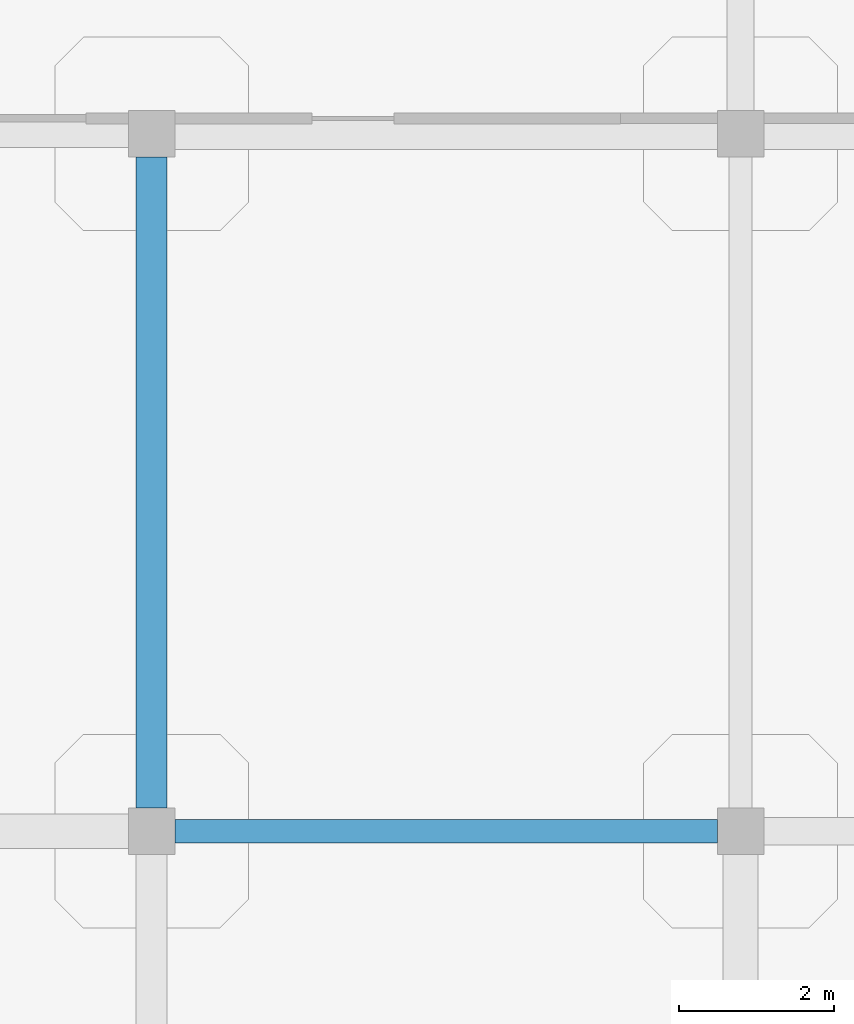
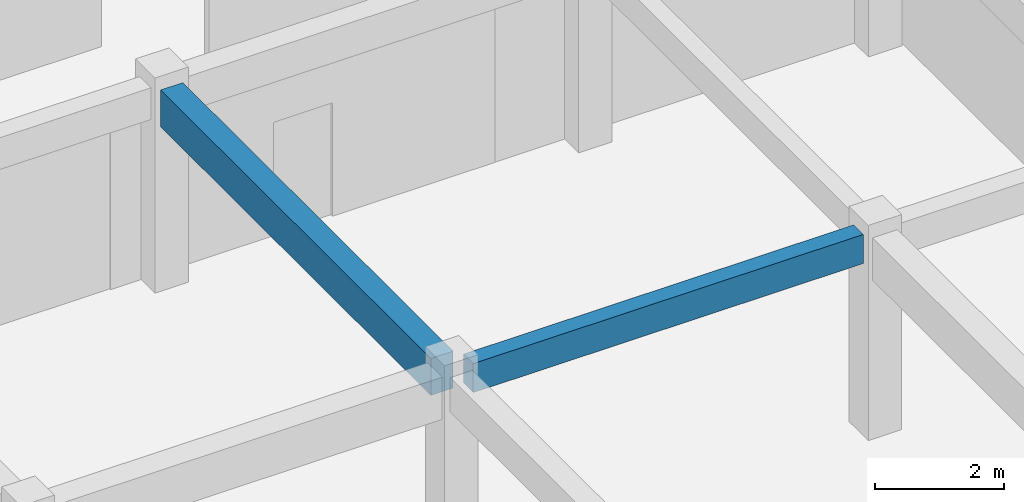
# One storey, part 94 of 146: 2 beams.
"""IFC4 building model written with IfcOpenShell, lengths in metres."""

import ifcopenshell
import ifcopenshell.guid

model = None  # the IFC model being written
_history = None  # IfcOwnerHistory: only IFC2X3 demands one
_inside = {}  # id of a spatial element -> (the spatial element, [elements in it])
_under = {}  # id of a project, library or spatial element -> (it, [spatial elements below it])
_declared = {}  # id of a project -> (the project, [libraries it declares])
_typed = {}  # id of a type object -> (the type object, [elements of that type])
_made_of = {}  # id of a material, layer set ... -> (it, [elements and type objects made of it])


def new_model(schema):
    """Start an empty IFC model of exactly this schema.

    Asked for "IFC4X3", IfcOpenShell would pick the latest addendum, in which some entities
    have other attributes; the version numbers below select the first issue.
    IFC2X3 requires an IfcOwnerHistory on every rooted entity: one is made here for all.
    """
    global model, _history
    if schema == "IFC4X3":
        model = ifcopenshell.file(schema_version=(4, 3, 0, 0))
    else:
        model = ifcopenshell.file(schema=schema)
    _inside.clear()
    _under.clear()
    _declared.clear()
    _typed.clear()
    _made_of.clear()
    _history = None
    if model.schema == "IFC2X3":
        org = make("IfcOrganization", Name="unknown")
        user = make(
            "IfcPersonAndOrganization",
            ThePerson=make("IfcPerson", FamilyName="unknown"),
            TheOrganization=org,
        )
        app = make(
            "IfcApplication",
            ApplicationDeveloper=org,
            Version="unknown",
            ApplicationFullName="unknown",
            ApplicationIdentifier="unknown",
        )
        _history = make(
            "IfcOwnerHistory",
            OwningUser=user,
            OwningApplication=app,
            ChangeAction="ADDED",
            CreationDate=0,
        )
    return model


def make(cls, **values):
    """One entity of the class cls with the attributes given. An attribute that is None is left unset."""
    return model.create_entity(
        cls, **{name: value for name, value in values.items() if value is not None}
    )


def rooted(cls, **values):
    """An entity with a GlobalId (a new one), such as an element, a storey or a relation."""
    return make(cls, GlobalId=ifcopenshell.guid.new(), OwnerHistory=_history, **values)


def si_unit(unit_type, name, prefix=None):
    """IfcSIUnit, for example si_unit("LENGTHUNIT", "METRE", prefix="MILLI")."""
    return make("IfcSIUnit", UnitType=unit_type, Prefix=prefix, Name=name)


def assignment(units):
    """IfcUnitAssignment: the units of a project."""
    return None if units is None else make("IfcUnitAssignment", Units=units)


def point(xyz):
    """IfcCartesianPoint."""
    return None if xyz is None else make("IfcCartesianPoint", Coordinates=xyz)


def direction(xyz):
    """IfcDirection."""
    return None if xyz is None else make("IfcDirection", DirectionRatios=xyz)


def frame(location, z_axis=None, x_axis=None):
    """IfcAxis2Placement3D, a coordinate frame: its origin and axes. An axis left out is left unset."""
    return make(
        "IfcAxis2Placement3D",
        Location=point(location),
        Axis=direction(z_axis),
        RefDirection=direction(x_axis),
    )


def frame_2d(location, x_axis=None):
    """IfcAxis2Placement2D, a coordinate frame in the plane: its origin and x axis."""
    return make(
        "IfcAxis2Placement2D", Location=point(location), RefDirection=direction(x_axis)
    )


def origin():
    """The frame at (0, 0, 0) with its axes left unset."""
    return frame((0.0, 0.0, 0.0))


def origin_2d():
    """The frame at (0, 0) in the plane with its x axis left unset."""
    return frame_2d((0.0, 0.0))


def place(relative_to, where):
    """IfcLocalPlacement: puts the frame where relative to a parent placement (None: the world)."""
    return make(
        "IfcLocalPlacement", PlacementRelTo=relative_to, RelativePlacement=where
    )


def context(
    kind, dimensions, precision=None, world=None, true_north=None, identifier=None
):
    """IfcGeometricRepresentationContext, for example the 3D "Model" context."""
    return make(
        "IfcGeometricRepresentationContext",
        ContextIdentifier=identifier,
        ContextType=kind,
        CoordinateSpaceDimension=dimensions,
        Precision=precision,
        WorldCoordinateSystem=world,
        TrueNorth=true_north,
    )


def subcontext(parent, identifier, kind, view, scale=None):
    """IfcGeometricRepresentationSubContext, for example "Body" below "Model"."""
    return make(
        "IfcGeometricRepresentationSubContext",
        ContextIdentifier=identifier,
        ContextType=kind,
        ParentContext=parent,
        TargetScale=scale,
        TargetView=view,
    )


def project(units=None, contexts=None):
    """IfcProject with its units and contexts."""
    return rooted(
        "IfcProject",
        Name="project",
        RepresentationContexts=contexts,
        UnitsInContext=assignment(units),
    )


def spatial(cls, under=None, at=None, **own):
    """A site, building, storey or space (cls), placed at a placement, below another one or the project."""
    s = rooted(cls, ObjectPlacement=at, **own)
    if under is not None:
        _under.setdefault(under.id(), (under, []))[1].append(s)
    return s


def profile(cls, at=None, kind="AREA", **sizes):
    """A parametric profile (cls). Its sizes go by their IFC names, for example OverallWidth=200.0."""
    return make(cls, ProfileType=kind, Position=at, **sizes)


def rectangle(**sizes):
    """IfcRectangleProfileDef."""
    return profile("IfcRectangleProfileDef", **sizes)


def extrude(swept, where, along, depth):
    """IfcExtrudedAreaSolid: the profile swept, set in the frame where, extruded along a direction by depth."""
    return make(
        "IfcExtrudedAreaSolid",
        SweptArea=swept,
        Position=where,
        ExtrudedDirection=direction(along),
        Depth=depth,
    )


def shape(context_of_items, identifier, shape_type, items):
    """IfcShapeRepresentation: the items that make up one representation, for example the "Body"."""
    return make(
        "IfcShapeRepresentation",
        ContextOfItems=context_of_items,
        RepresentationIdentifier=identifier,
        RepresentationType=shape_type,
        Items=items,
    )


def material(Name=None, Category=None):
    """IfcMaterial."""
    return make("IfcMaterial", Name=Name, Category=Category)


def material_profile(
    of_material, cross_section, Name=None, Category=None, Priority=None
):
    """IfcMaterialProfile: a cross section and its material."""
    return make(
        "IfcMaterialProfile",
        Name=Name,
        Material=of_material,
        Profile=cross_section,
        Priority=Priority,
        Category=Category,
    )


def profile_set(profiles, Name=None, composite=None):
    """IfcMaterialProfileSet."""
    return make(
        "IfcMaterialProfileSet",
        Name=Name,
        MaterialProfiles=profiles,
        CompositeProfile=composite,
    )


def made_of(thing, what):
    """Note that an element or type object is made of a material, layer set ...; save() writes the relation."""
    if what is not None:
        _made_of.setdefault(what.id(), (what, []))[1].append(thing)
    return thing


def type_object(cls, material=None, **own):
    """A type object (cls), such as IfcWallType, which elements share."""
    return made_of(rooted(cls, **own), material)


def element(
    cls,
    number,
    at=None,
    inside=None,
    cuts=None,
    type_object=None,
    material=None,
    context=None,
    identifier="Body",
    shape_type=None,
    held_by="IfcProductDefinitionShape",
    body=None,
    shapes=None,
    **own,
):
    """One element of the class cls, such as IfcWall. Its Tag is "e" and its number.

    at: its placement. inside: the storey or other place that contains it. cuts: it is an
    opening in that element (IfcRelVoidsElement). A single representation is given by context,
    identifier, shape_type and body (its items); several are given by shapes. held_by: the class
    of the entity that holds the representations. save() writes the other relations.
    """
    e = rooted(cls, Tag="e%d" % number, ObjectPlacement=at, **own)
    if body is not None:
        shapes = [shape(context, identifier, shape_type, body)]
    if shapes is not None:
        e.Representation = make(held_by, Representations=shapes)
    if inside is not None:
        _inside.setdefault(inside.id(), (inside, []))[1].append(e)
    if cuts is not None:
        rooted(
            "IfcRelVoidsElement", RelatingBuildingElement=cuts, RelatedOpeningElement=e
        )
    if type_object is not None:
        _typed.setdefault(type_object.id(), (type_object, []))[1].append(e)
    return made_of(e, material)


def aggregate(whole, parts):
    """IfcRelAggregates: a whole, such as a stair, and the parts it consists of."""
    return rooted("IfcRelAggregates", RelatingObject=whole, RelatedObjects=parts)


def save(model, path):
    """Write the relations noted so far, then the file.

    IfcRelAggregates (storeys below a building ...), IfcRelContainedInSpatialStructure (elements
    in a storey), IfcRelDefinesByType, IfcRelAssociatesMaterial and IfcRelDeclares: one each for
    every whole, place, type object, material and project.
    """
    for whole, parts in _under.values():
        aggregate(whole, parts)
    for where, things in _inside.values():
        rooted(
            "IfcRelContainedInSpatialStructure",
            RelatedElements=things,
            RelatingStructure=where,
        )
    for kind, things in _typed.values():
        rooted("IfcRelDefinesByType", RelatedObjects=things, RelatingType=kind)
    for what, things in _made_of.values():
        rooted("IfcRelAssociatesMaterial", RelatedObjects=things, RelatingMaterial=what)
    for by, libraries in _declared.values():
        rooted("IfcRelDeclares", RelatingContext=by, RelatedDefinitions=libraries)
    model.write(path)


model = new_model("IFC4")

# Units and contexts
model_context = context("Model", 3, precision=1e-05, world=origin(), true_north=direction((0.0, 1.0)))
body_context = subcontext(model_context, "Body", "Model", "MODEL_VIEW")
ifc_project = project(units=[si_unit("LENGTHUNIT", "METRE"), si_unit("AREAUNIT", "SQUARE_METRE"), si_unit("VOLUMEUNIT", "CUBIC_METRE"), si_unit("PLANEANGLEUNIT", "RADIAN"), si_unit("MASSUNIT", "GRAM", prefix="KILO")], contexts=[model_context])

# Site, building, storey
site_placement = place(None, origin())
site = spatial("IfcSite", under=ifc_project, at=site_placement, CompositionType="ELEMENT")
building_placement = place(site_placement, origin())
building = spatial("IfcBuilding", under=site, at=building_placement, Name="Valcora Specialist Clinic", CompositionType="ELEMENT")
storey_placement = place(building_placement, frame((0.0, 0.0, 9.52001953125)))
storey = spatial("IfcBuildingStorey", under=building, at=storey_placement, Name="L02", CompositionType="ELEMENT", Elevation=9.52001953125)

# Beams
ifc_material = material(Name="Concrete C40/50", Category="concrete")
ifc_material_profile_1 = material_profile(ifc_material, rectangle(XDim=0.300048828125, YDim=0.550048828125, at=origin_2d()), Name="RC-BM-300X550")
ifc_profile_set_1 = profile_set([ifc_material_profile_1], Name="Concrete C40/50")
beam_type_1 = type_object("IfcBeamType", Name="TY-BM-RC300X550", PredefinedType="BEAM", material=ifc_profile_set_1)
beam_1_placement = place(storey_placement, frame((98.699951171875, 90.199951171875, 3.544921875), z_axis=(1.0, 0.0, 0.0), x_axis=(0.0, 1.0, 0.0)))
element("IfcBeam", 1, at=beam_1_placement, inside=storey, type_object=beam_type_1, Name="Beam BM-L02-0715", PredefinedType="BEAM", context=body_context, shape_type="SweptSolid", body=[
    extrude(rectangle(XDim=0.300048828125, YDim=0.550048828125, at=origin_2d()), origin(), (0.0, 0.0, 1.0), 7.0),
])
ifc_material_profile_2 = material_profile(ifc_material, rectangle(XDim=0.39990234375, YDim=0.699951171875, at=origin_2d()), Name="RC-BM-400X700")
ifc_profile_set_2 = profile_set([ifc_material_profile_2], Name="Concrete C40/50")
beam_type_2 = type_object("IfcBeamType", Name="TY-BM-RC400X700", PredefinedType="BEAM", material=ifc_profile_set_2)
beam_2_placement = place(storey_placement, frame((98.39990234375, 90.5, 3.469970703125), z_axis=(0.0, 1.0, 0.0), x_axis=(-1.0, 0.0, 0.0)))
element("IfcBeam", 2, at=beam_2_placement, inside=storey, type_object=beam_type_2, Name="Beam BM-L02-0752", PredefinedType="BEAM", context=body_context, shape_type="SweptSolid", body=[
    extrude(rectangle(XDim=0.39990234375, YDim=0.699951171875, at=origin_2d()), origin(), (0.0, 0.0, 1.0), 8.39990234375),
])

save(model, "model.ifc")
